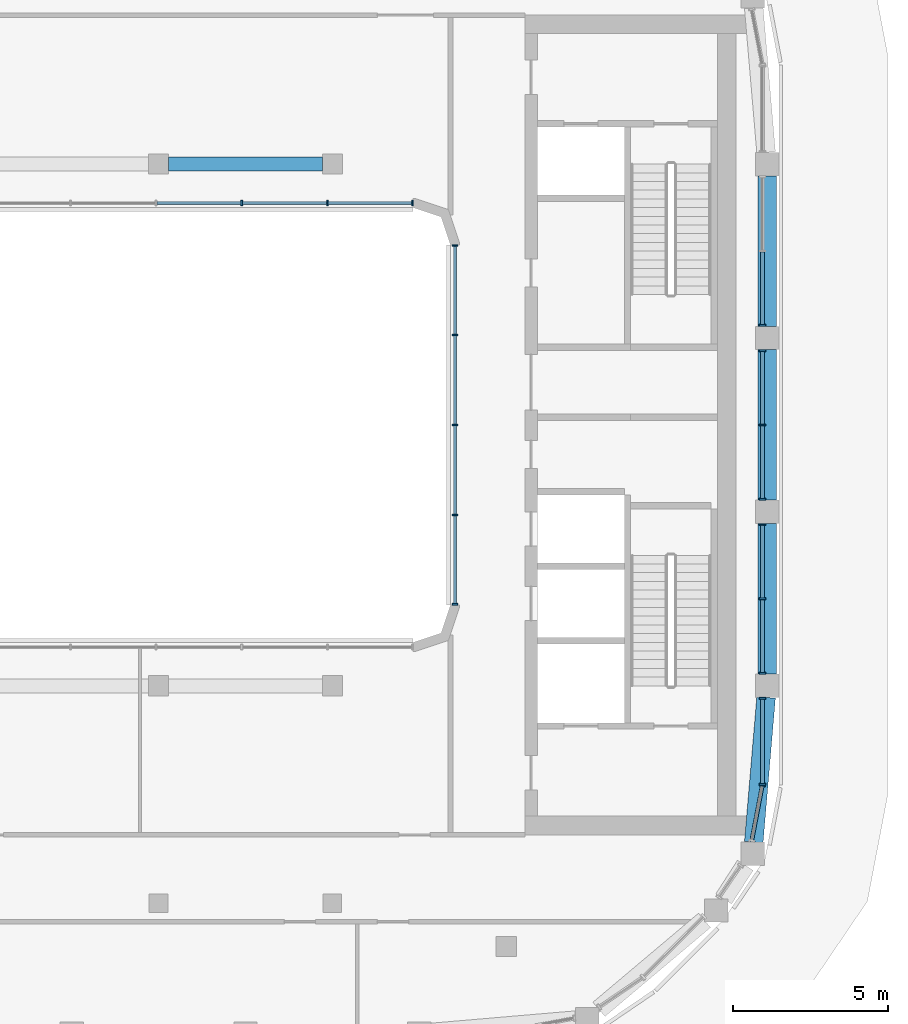
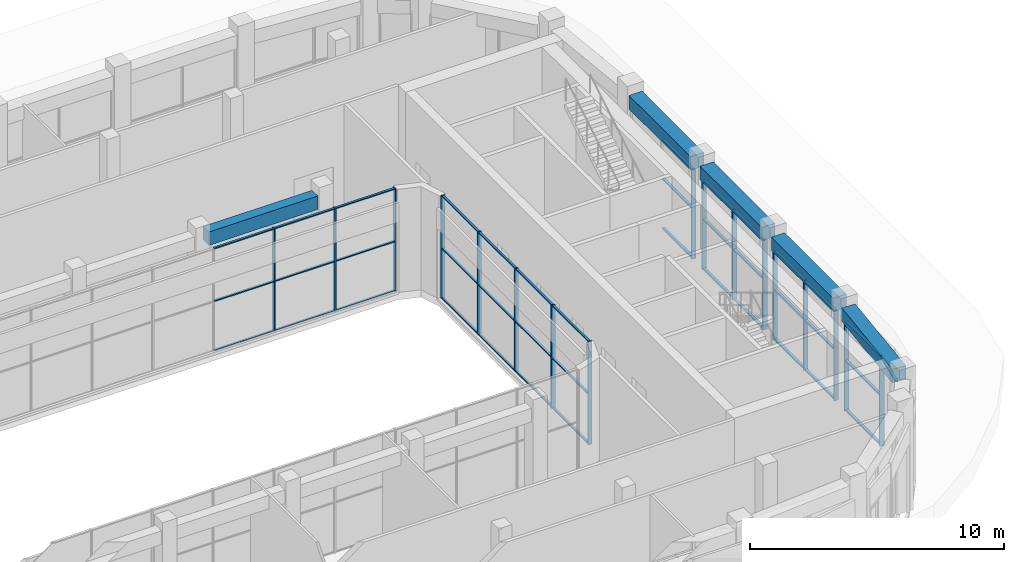
# One storey, part 7 of 24: 58 members, 5 beams, 7 elements without a shape of their own.
"""IFC4 building model written with IfcOpenShell, lengths in metres."""

from ifc_helpers import new_model, si_unit, direction, frame, origin, origin_2d, place, context, subcontext, project, spatial, rectangle, extrude, material, layer, layer_set, material_profile, profile_set, type_object, element, aggregate, save


model = new_model("IFC4")

# Units and contexts
model_context = context("Model", 3, precision=1e-05, world=origin(), true_north=direction((0.0, 1.0)))
body_context = subcontext(model_context, "Body", "Model", "MODEL_VIEW")
ifc_project = project(units=[si_unit("LENGTHUNIT", "METRE"), si_unit("AREAUNIT", "SQUARE_METRE"), si_unit("VOLUMEUNIT", "CUBIC_METRE"), si_unit("PLANEANGLEUNIT", "RADIAN"), si_unit("MASSUNIT", "GRAM", prefix="KILO")], contexts=[model_context])

# Site, building, storey
site_placement = place(None, origin())
site = spatial("IfcSite", under=ifc_project, at=site_placement, CompositionType="ELEMENT")
building_placement = place(site_placement, origin())
building = spatial("IfcBuilding", under=site, at=building_placement, Name="Kiln Ring Residences", CompositionType="ELEMENT")
storey_placement = place(building_placement, frame((0.0, 0.0, 283.699951171875)))
storey = spatial("IfcBuildingStorey", under=building, at=storey_placement, Name="L74", CompositionType="ELEMENT", Elevation=283.699951171875)

# Curtain wall, member
ifc_material_1 = material(Name="Aluminium and glass", Category="aluminium")
ifc_layer_1 = layer(ifc_material_1, 0.199951171875)
ifc_layer_set_1 = layer_set([ifc_layer_1], Name="CW1 CURTAIN WALL")
curtain_wall_type_1 = type_object("IfcCurtainWallType", Name="CW1 CURTAIN WALL", PredefinedType="NOTDEFINED", material=ifc_layer_set_1)
placement = place(storey_placement, origin())
curtain_wall_1 = element("IfcCurtainWall", 1, at=placement, inside=storey, type_object=curtain_wall_type_1, Name="Curtain wall CW1 L74", PredefinedType="NOTDEFINED")
ifc_material_2 = material(Name="Aluminium 6063-T6", Category="aluminium")
ifc_material_profile_1 = material_profile(ifc_material_2, rectangle(XDim=0.199951171875, YDim=0.06005859375, at=origin_2d()), Name="AL 200x60")
ifc_profile_set_1 = profile_set([ifc_material_profile_1], Name="Aluminium 6063-T6")
member_type_1 = type_object("IfcMemberType", Name="CW1 MULLION 200 x 60", PredefinedType="MULLION", material=ifc_profile_set_1)
member_1_placement = place(storey_placement, frame((25.047119140625, -11.601318359375, 0.0), z_axis=(0.0, 0.0, 1.0), x_axis=(-0.982290257784, 0.187365550364, 0.0)))
member_1 = element("IfcMember", 2, at=member_1_placement, type_object=member_type_1, Name="CW1 mullion 2", PredefinedType="MULLION", context=body_context, shape_type="SweptSolid", body=[
    extrude(rectangle(XDim=0.199951171875, YDim=0.06005859375, at=origin_2d()), origin(), (0.0, 0.0, 1.0), 4.300048828125),
])

# Curtain wall, members
curtain_wall_2 = element("IfcCurtainWall", 3, at=placement, inside=storey, type_object=curtain_wall_type_1, Name="Curtain wall CW1 L74", PredefinedType="NOTDEFINED")
member_2_placement = place(storey_placement, frame((25.050048828125, -11.570068359375, 0.0), z_axis=(0.0, 0.0, 1.0), x_axis=(-1.0, 0.0, 0.0)))
member_2 = element("IfcMember", 4, at=member_2_placement, type_object=member_type_1, Name="CW1 mullion 1", PredefinedType="MULLION", context=body_context, shape_type="SweptSolid", body=[
    extrude(rectangle(XDim=0.199951171875, YDim=0.06005859375, at=origin_2d()), origin(), (0.0, 0.0, 1.0), 4.300048828125),
])
member_3_placement = place(storey_placement, frame((25.050048828125, -8.804931640625, 0.0), z_axis=(0.0, 0.0, 1.0), x_axis=(-1.0, 0.0, 0.0)))
member_3 = element("IfcMember", 5, at=member_3_placement, type_object=member_type_1, Name="CW1 mullion 2", PredefinedType="MULLION", context=body_context, shape_type="SweptSolid", body=[
    extrude(rectangle(XDim=0.199951171875, YDim=0.06005859375, at=origin_2d()), origin(), (0.0, 0.0, 1.0), 4.300048828125),
])

curtain_wall_3 = element("IfcCurtainWall", 6, at=placement, inside=storey, type_object=curtain_wall_type_1, Name="Curtain wall CW1 L74", PredefinedType="NOTDEFINED")
member_4_placement = place(storey_placement, frame((25.050048828125, -7.9951171875, 0.0), z_axis=(0.0, 0.0, 1.0), x_axis=(-1.0, 0.0, 0.0)))
member_4 = element("IfcMember", 7, at=member_4_placement, type_object=member_type_1, Name="CW1 mullion 1", PredefinedType="MULLION", context=body_context, shape_type="SweptSolid", body=[
    extrude(rectangle(XDim=0.199951171875, YDim=0.06005859375, at=origin_2d()), origin(), (0.0, 0.0, 1.0), 4.300048828125),
])
member_5_placement = place(storey_placement, frame((25.050048828125, -5.60009765625, 0.0), z_axis=(0.0, 0.0, 1.0), x_axis=(-1.0, 0.0, 0.0)))
member_5 = element("IfcMember", 8, at=member_5_placement, type_object=member_type_1, Name="CW1 mullion 2", PredefinedType="MULLION", context=body_context, shape_type="SweptSolid", body=[
    extrude(rectangle(XDim=0.199951171875, YDim=0.06005859375, at=origin_2d()), origin(), (0.0, 0.0, 1.0), 4.300048828125),
])
member_6_placement = place(storey_placement, frame((25.050048828125, -3.205078125, 0.0), z_axis=(0.0, 0.0, 1.0), x_axis=(-1.0, 0.0, 0.0)))
member_6 = element("IfcMember", 9, at=member_6_placement, type_object=member_type_1, Name="CW1 mullion 3", PredefinedType="MULLION", context=body_context, shape_type="SweptSolid", body=[
    extrude(rectangle(XDim=0.199951171875, YDim=0.06005859375, at=origin_2d()), origin(), (0.0, 0.0, 1.0), 4.300048828125),
])

curtain_wall_4 = element("IfcCurtainWall", 10, at=placement, inside=storey, type_object=curtain_wall_type_1, Name="Curtain wall CW1 L74", PredefinedType="NOTDEFINED")
member_7_placement = place(storey_placement, frame((25.050048828125, -2.39501953125, 0.0), z_axis=(0.0, 0.0, 1.0), x_axis=(-1.0, 0.0, 0.0)))
member_7 = element("IfcMember", 11, at=member_7_placement, type_object=member_type_1, Name="CW1 mullion 1", PredefinedType="MULLION", context=body_context, shape_type="SweptSolid", body=[
    extrude(rectangle(XDim=0.199951171875, YDim=0.06005859375, at=origin_2d()), origin(), (0.0, 0.0, 1.0), 4.300048828125),
])
member_8_placement = place(storey_placement, frame((25.050048828125, 0.0, 0.0), z_axis=(0.0, 0.0, 1.0), x_axis=(-1.0, 0.0, 0.0)))
member_8 = element("IfcMember", 12, at=member_8_placement, type_object=member_type_1, Name="CW1 mullion 2", PredefinedType="MULLION", context=body_context, shape_type="SweptSolid", body=[
    extrude(rectangle(XDim=0.199951171875, YDim=0.06005859375, at=origin_2d()), origin(), (0.0, 0.0, 1.0), 4.300048828125),
])
member_9_placement = place(storey_placement, frame((25.050048828125, 2.39501953125, 0.0), z_axis=(0.0, 0.0, 1.0), x_axis=(-1.0, 0.0, 0.0)))
member_9 = element("IfcMember", 13, at=member_9_placement, type_object=member_type_1, Name="CW1 mullion 3", PredefinedType="MULLION", context=body_context, shape_type="SweptSolid", body=[
    extrude(rectangle(XDim=0.199951171875, YDim=0.06005859375, at=origin_2d()), origin(), (0.0, 0.0, 1.0), 4.300048828125),
])

# Curtain wall, member
curtain_wall_5 = element("IfcCurtainWall", 14, at=placement, inside=storey, type_object=curtain_wall_type_1, Name="Curtain wall CW1 L74", PredefinedType="NOTDEFINED")
member_10_placement = place(storey_placement, frame((25.050048828125, 3.205078125, 0.0), z_axis=(0.0, 0.0, 1.0), x_axis=(-1.0, 0.0, 0.0)))
member_10 = element("IfcMember", 15, at=member_10_placement, type_object=member_type_1, Name="CW1 mullion 1", PredefinedType="MULLION", context=body_context, shape_type="SweptSolid", body=[
    extrude(rectangle(XDim=0.199951171875, YDim=0.06005859375, at=origin_2d()), origin(), (0.0, 0.0, 1.0), 4.300048828125),
])

# Member
ifc_material_3 = material(Name="Aluminium 6063-T6", Category="aluminium")
ifc_material_profile_2 = material_profile(ifc_material_3, rectangle(XDim=0.1201171875, YDim=0.06005859375, at=origin_2d()), Name="AL 120x60")
ifc_profile_set_2 = profile_set([ifc_material_profile_2], Name="Aluminium 6063-T6")
member_type_2 = type_object("IfcMemberType", Name="CW1 TRANSOM 120 x 60", PredefinedType="USERDEFINED", material=ifc_profile_set_2)
member_11_placement = place(storey_placement, frame((24.71142578125, -13.36083984375, 4.27001953125), z_axis=(0.187417857375, 0.982280279114, 0.0), x_axis=(-0.982280279114, 0.187417857375, 0.0)))
member_11 = element("IfcMember", 16, at=member_11_placement, type_object=member_type_2, Name="CW1 transom 1.3", ObjectType="TRANSOM", PredefinedType="USERDEFINED", context=body_context, shape_type="SweptSolid", body=[
    extrude(rectangle(XDim=0.1201171875, YDim=0.06005859375, at=origin_2d()), origin(), (0.0, 0.0, 1.0), 1.76123046875),
])

aggregate(curtain_wall_1, [member_1, member_11])

member_12_placement = place(storey_placement, frame((25.050048828125, -11.5400390625, 0.030029296875), z_axis=(0.0, 1.0, 0.0), x_axis=(-1.0, 0.0, 0.0)))
member_12 = element("IfcMember", 17, at=member_12_placement, type_object=member_type_2, Name="CW1 transom 1.1", ObjectType="TRANSOM", PredefinedType="USERDEFINED", context=body_context, shape_type="SweptSolid", body=[
    extrude(rectangle(XDim=0.1201171875, YDim=0.06005859375, at=origin_2d()), origin(), (0.0, 0.0, 1.0), 2.705078125),
])

member_13_placement = place(storey_placement, frame((25.050048828125, -11.5400390625, 2.400146484375), z_axis=(0.0, 1.0, 0.0), x_axis=(-1.0, 0.0, 0.0)))
member_13 = element("IfcMember", 18, at=member_13_placement, type_object=member_type_2, Name="CW1 transom 1.2", ObjectType="TRANSOM", PredefinedType="USERDEFINED", context=body_context, shape_type="SweptSolid", body=[
    extrude(rectangle(XDim=0.1201171875, YDim=0.06005859375, at=origin_2d()), origin(), (0.0, 0.0, 1.0), 2.705078125),
])

member_14_placement = place(storey_placement, frame((25.050048828125, -11.5400390625, 4.27001953125), z_axis=(0.0, 1.0, 0.0), x_axis=(-1.0, 0.0, 0.0)))
member_14 = element("IfcMember", 19, at=member_14_placement, type_object=member_type_2, Name="CW1 transom 1.3", ObjectType="TRANSOM", PredefinedType="USERDEFINED", context=body_context, shape_type="SweptSolid", body=[
    extrude(rectangle(XDim=0.1201171875, YDim=0.06005859375, at=origin_2d()), origin(), (0.0, 0.0, 1.0), 2.705078125),
])

aggregate(curtain_wall_2, [member_2, member_3, member_12, member_13, member_14])

member_15_placement = place(storey_placement, frame((25.050048828125, -7.965087890625, 0.030029296875), z_axis=(0.0, 1.0, 0.0), x_axis=(-1.0, 0.0, 0.0)))
member_15 = element("IfcMember", 20, at=member_15_placement, type_object=member_type_2, Name="CW1 transom 1.1", ObjectType="TRANSOM", PredefinedType="USERDEFINED", context=body_context, shape_type="SweptSolid", body=[
    extrude(rectangle(XDim=0.1201171875, YDim=0.06005859375, at=origin_2d()), origin(), (0.0, 0.0, 1.0), 2.335205078125),
])

member_16_placement = place(storey_placement, frame((25.050048828125, -7.965087890625, 2.400146484375), z_axis=(0.0, 1.0, 0.0), x_axis=(-1.0, 0.0, 0.0)))
member_16 = element("IfcMember", 21, at=member_16_placement, type_object=member_type_2, Name="CW1 transom 1.2", ObjectType="TRANSOM", PredefinedType="USERDEFINED", context=body_context, shape_type="SweptSolid", body=[
    extrude(rectangle(XDim=0.1201171875, YDim=0.06005859375, at=origin_2d()), origin(), (0.0, 0.0, 1.0), 2.335205078125),
])

member_17_placement = place(storey_placement, frame((25.050048828125, -7.965087890625, 4.27001953125), z_axis=(0.0, 1.0, 0.0), x_axis=(-1.0, 0.0, 0.0)))
member_17 = element("IfcMember", 22, at=member_17_placement, type_object=member_type_2, Name="CW1 transom 1.3", ObjectType="TRANSOM", PredefinedType="USERDEFINED", context=body_context, shape_type="SweptSolid", body=[
    extrude(rectangle(XDim=0.1201171875, YDim=0.06005859375, at=origin_2d()), origin(), (0.0, 0.0, 1.0), 2.335205078125),
])

member_18_placement = place(storey_placement, frame((25.050048828125, -5.570068359375, 0.030029296875), z_axis=(0.0, 1.0, 0.0), x_axis=(-1.0, 0.0, 0.0)))
member_18 = element("IfcMember", 23, at=member_18_placement, type_object=member_type_2, Name="CW1 transom 2.1", ObjectType="TRANSOM", PredefinedType="USERDEFINED", context=body_context, shape_type="SweptSolid", body=[
    extrude(rectangle(XDim=0.1201171875, YDim=0.06005859375, at=origin_2d()), origin(), (0.0, 0.0, 1.0), 2.3349609375),
])

member_19_placement = place(storey_placement, frame((25.050048828125, -5.570068359375, 2.400146484375), z_axis=(0.0, 1.0, 0.0), x_axis=(-1.0, 0.0, 0.0)))
member_19 = element("IfcMember", 24, at=member_19_placement, type_object=member_type_2, Name="CW1 transom 2.2", ObjectType="TRANSOM", PredefinedType="USERDEFINED", context=body_context, shape_type="SweptSolid", body=[
    extrude(rectangle(XDim=0.1201171875, YDim=0.06005859375, at=origin_2d()), origin(), (0.0, 0.0, 1.0), 2.3349609375),
])

member_20_placement = place(storey_placement, frame((25.050048828125, -5.570068359375, 4.27001953125), z_axis=(0.0, 1.0, 0.0), x_axis=(-1.0, 0.0, 0.0)))
member_20 = element("IfcMember", 25, at=member_20_placement, type_object=member_type_2, Name="CW1 transom 2.3", ObjectType="TRANSOM", PredefinedType="USERDEFINED", context=body_context, shape_type="SweptSolid", body=[
    extrude(rectangle(XDim=0.1201171875, YDim=0.06005859375, at=origin_2d()), origin(), (0.0, 0.0, 1.0), 2.3349609375),
])

aggregate(curtain_wall_3, [member_4, member_5, member_6, member_15, member_16, member_17, member_18, member_19, member_20])

member_21_placement = place(storey_placement, frame((25.050048828125, -2.364990234375, 0.030029296875), z_axis=(0.0, 1.0, 0.0), x_axis=(-1.0, 0.0, 0.0)))
member_21 = element("IfcMember", 26, at=member_21_placement, type_object=member_type_2, Name="CW1 transom 1.1", ObjectType="TRANSOM", PredefinedType="USERDEFINED", context=body_context, shape_type="SweptSolid", body=[
    extrude(rectangle(XDim=0.1201171875, YDim=0.06005859375, at=origin_2d()), origin(), (0.0, 0.0, 1.0), 2.3349609375),
])

member_22_placement = place(storey_placement, frame((25.050048828125, -2.364990234375, 2.400146484375), z_axis=(0.0, 1.0, 0.0), x_axis=(-1.0, 0.0, 0.0)))
member_22 = element("IfcMember", 27, at=member_22_placement, type_object=member_type_2, Name="CW1 transom 1.2", ObjectType="TRANSOM", PredefinedType="USERDEFINED", context=body_context, shape_type="SweptSolid", body=[
    extrude(rectangle(XDim=0.1201171875, YDim=0.06005859375, at=origin_2d()), origin(), (0.0, 0.0, 1.0), 2.3349609375),
])

member_23_placement = place(storey_placement, frame((25.050048828125, -2.364990234375, 4.27001953125), z_axis=(0.0, 1.0, 0.0), x_axis=(-1.0, 0.0, 0.0)))
member_23 = element("IfcMember", 28, at=member_23_placement, type_object=member_type_2, Name="CW1 transom 1.3", ObjectType="TRANSOM", PredefinedType="USERDEFINED", context=body_context, shape_type="SweptSolid", body=[
    extrude(rectangle(XDim=0.1201171875, YDim=0.06005859375, at=origin_2d()), origin(), (0.0, 0.0, 1.0), 2.3349609375),
])

member_24_placement = place(storey_placement, frame((25.050048828125, 0.030029296875, 0.030029296875), z_axis=(0.0, 1.0, 0.0), x_axis=(-1.0, 0.0, 0.0)))
member_24 = element("IfcMember", 29, at=member_24_placement, type_object=member_type_2, Name="CW1 transom 2.1", ObjectType="TRANSOM", PredefinedType="USERDEFINED", context=body_context, shape_type="SweptSolid", body=[
    extrude(rectangle(XDim=0.1201171875, YDim=0.06005859375, at=origin_2d()), origin(), (0.0, 0.0, 1.0), 2.3349609375),
])

member_25_placement = place(storey_placement, frame((25.050048828125, 0.030029296875, 2.400146484375), z_axis=(0.0, 1.0, 0.0), x_axis=(-1.0, 0.0, 0.0)))
member_25 = element("IfcMember", 30, at=member_25_placement, type_object=member_type_2, Name="CW1 transom 2.2", ObjectType="TRANSOM", PredefinedType="USERDEFINED", context=body_context, shape_type="SweptSolid", body=[
    extrude(rectangle(XDim=0.1201171875, YDim=0.06005859375, at=origin_2d()), origin(), (0.0, 0.0, 1.0), 2.3349609375),
])

member_26_placement = place(storey_placement, frame((25.050048828125, 0.030029296875, 4.27001953125), z_axis=(0.0, 1.0, 0.0), x_axis=(-1.0, 0.0, 0.0)))
member_26 = element("IfcMember", 31, at=member_26_placement, type_object=member_type_2, Name="CW1 transom 2.3", ObjectType="TRANSOM", PredefinedType="USERDEFINED", context=body_context, shape_type="SweptSolid", body=[
    extrude(rectangle(XDim=0.1201171875, YDim=0.06005859375, at=origin_2d()), origin(), (0.0, 0.0, 1.0), 2.3349609375),
])

aggregate(curtain_wall_4, [member_7, member_8, member_9, member_21, member_22, member_23, member_24, member_25, member_26])

member_27_placement = place(storey_placement, frame((25.050048828125, 3.235107421875, 0.030029296875), z_axis=(0.0, 1.0, 0.0), x_axis=(-1.0, 0.0, 0.0)))
member_27 = element("IfcMember", 32, at=member_27_placement, type_object=member_type_2, Name="CW1 transom 1.1", ObjectType="TRANSOM", PredefinedType="USERDEFINED", context=body_context, shape_type="SweptSolid", body=[
    extrude(rectangle(XDim=0.1201171875, YDim=0.06005859375, at=origin_2d()), origin(), (0.0, 0.0, 1.0), 2.3349609375),
])

member_28_placement = place(storey_placement, frame((25.050048828125, 3.235107421875, 2.400146484375), z_axis=(0.0, 1.0, 0.0), x_axis=(-1.0, 0.0, 0.0)))
member_28 = element("IfcMember", 33, at=member_28_placement, type_object=member_type_2, Name="CW1 transom 1.2", ObjectType="TRANSOM", PredefinedType="USERDEFINED", context=body_context, shape_type="SweptSolid", body=[
    extrude(rectangle(XDim=0.1201171875, YDim=0.06005859375, at=origin_2d()), origin(), (0.0, 0.0, 1.0), 2.3349609375),
])

member_29_placement = place(storey_placement, frame((25.050048828125, 3.235107421875, 4.27001953125), z_axis=(0.0, 1.0, 0.0), x_axis=(-1.0, 0.0, 0.0)))
member_29 = element("IfcMember", 34, at=member_29_placement, type_object=member_type_2, Name="CW1 transom 1.3", ObjectType="TRANSOM", PredefinedType="USERDEFINED", context=body_context, shape_type="SweptSolid", body=[
    extrude(rectangle(XDim=0.1201171875, YDim=0.06005859375, at=origin_2d()), origin(), (0.0, 0.0, 1.0), 2.3349609375),
])

aggregate(curtain_wall_5, [member_10, member_27, member_28, member_29])

# Curtain wall, members
ifc_material_4 = material(Name="Aluminium and glass", Category="aluminium")
ifc_layer_2 = layer(ifc_material_4, 0.179931640625)
ifc_layer_set_2 = layer_set([ifc_layer_2], Name="CW3 CURTAIN WALL")
curtain_wall_type_2 = type_object("IfcCurtainWallType", Name="CW3 CURTAIN WALL", PredefinedType="NOTDEFINED", material=ifc_layer_set_2)
curtain_wall_6 = element("IfcCurtainWall", 35, at=placement, inside=storey, type_object=curtain_wall_type_2, Name="Curtain wall CW3 L74", PredefinedType="NOTDEFINED")
ifc_material_5 = material(Name="Aluminium 6063-T6", Category="aluminium")
ifc_material_profile_3 = material_profile(ifc_material_5, rectangle(XDim=0.179931640625, YDim=0.050048828125, at=origin_2d()), Name="AL 180x50")
ifc_profile_set_3 = profile_set([ifc_material_profile_3], Name="Aluminium 6063-T6")
member_type_3 = type_object("IfcMemberType", Name="CW3 MULLION 180 x 50", PredefinedType="MULLION", material=ifc_profile_set_3)
member_30_placement = place(storey_placement, frame((8.280029296875, 7.14990234375, 0.0), z_axis=(0.0, 0.0, 1.0), x_axis=(0.0, 1.0, 0.0)))
member_30 = element("IfcMember", 36, at=member_30_placement, type_object=member_type_3, Name="CW3 mullion 9", PredefinedType="MULLION", context=body_context, shape_type="SweptSolid", body=[
    extrude(rectangle(XDim=0.179931640625, YDim=0.050048828125, at=origin_2d()), origin(), (0.0, 0.0, 1.0), 4.949951171875),
])
member_31_placement = place(storey_placement, frame((11.0400390625, 7.14990234375, 0.0), z_axis=(0.0, 0.0, 1.0), x_axis=(0.0, 1.0, 0.0)))
member_31 = element("IfcMember", 37, at=member_31_placement, type_object=member_type_3, Name="CW3 mullion 10", PredefinedType="MULLION", context=body_context, shape_type="SweptSolid", body=[
    extrude(rectangle(XDim=0.179931640625, YDim=0.050048828125, at=origin_2d()), origin(), (0.0, 0.0, 1.0), 4.949951171875),
])
member_32_placement = place(storey_placement, frame((13.77490234375, 7.14990234375, 0.0), z_axis=(0.0, 0.0, 1.0), x_axis=(0.0, 1.0, 0.0)))
member_32 = element("IfcMember", 38, at=member_32_placement, type_object=member_type_3, Name="CW3 mullion 11", PredefinedType="MULLION", context=body_context, shape_type="SweptSolid", body=[
    extrude(rectangle(XDim=0.179931640625, YDim=0.050048828125, at=origin_2d()), origin(), (0.0, 0.0, 1.0), 4.949951171875),
])

curtain_wall_7 = element("IfcCurtainWall", 39, at=placement, inside=storey, type_object=curtain_wall_type_2, Name="Curtain wall CW3 L74", PredefinedType="NOTDEFINED")
member_33_placement = place(storey_placement, frame((15.14990234375, 5.77490234375, 0.0), z_axis=(0.0, 0.0, 1.0), x_axis=(1.0, 0.0, 0.0)))
member_33 = element("IfcMember", 40, at=member_33_placement, type_object=member_type_3, Name="CW3 mullion 1", PredefinedType="MULLION", context=body_context, shape_type="SweptSolid", body=[
    extrude(rectangle(XDim=0.179931640625, YDim=0.050048828125, at=origin_2d()), origin(), (0.0, 0.0, 1.0), 4.949951171875),
])
member_34_placement = place(storey_placement, frame((15.14990234375, 2.89990234375, 0.0), z_axis=(0.0, 0.0, 1.0), x_axis=(1.0, 0.0, 0.0)))
member_34 = element("IfcMember", 41, at=member_34_placement, type_object=member_type_3, Name="CW3 mullion 2", PredefinedType="MULLION", context=body_context, shape_type="SweptSolid", body=[
    extrude(rectangle(XDim=0.179931640625, YDim=0.050048828125, at=origin_2d()), origin(), (0.0, 0.0, 1.0), 4.949951171875),
])
member_35_placement = place(storey_placement, frame((15.14990234375, 0.0, 0.0), z_axis=(0.0, 0.0, 1.0), x_axis=(1.0, 0.0, 0.0)))
member_35 = element("IfcMember", 42, at=member_35_placement, type_object=member_type_3, Name="CW3 mullion 3", PredefinedType="MULLION", context=body_context, shape_type="SweptSolid", body=[
    extrude(rectangle(XDim=0.179931640625, YDim=0.050048828125, at=origin_2d()), origin(), (0.0, 0.0, 1.0), 4.949951171875),
])
member_36_placement = place(storey_placement, frame((15.14990234375, -2.89990234375, 0.0), z_axis=(0.0, 0.0, 1.0), x_axis=(1.0, 0.0, 0.0)))
member_36 = element("IfcMember", 43, at=member_36_placement, type_object=member_type_3, Name="CW3 mullion 4", PredefinedType="MULLION", context=body_context, shape_type="SweptSolid", body=[
    extrude(rectangle(XDim=0.179931640625, YDim=0.050048828125, at=origin_2d()), origin(), (0.0, 0.0, 1.0), 4.949951171875),
])
member_37_placement = place(storey_placement, frame((15.14990234375, -5.77490234375, 0.0), z_axis=(0.0, 0.0, 1.0), x_axis=(1.0, 0.0, 0.0)))
member_37 = element("IfcMember", 44, at=member_37_placement, type_object=member_type_3, Name="CW3 mullion 5", PredefinedType="MULLION", context=body_context, shape_type="SweptSolid", body=[
    extrude(rectangle(XDim=0.179931640625, YDim=0.050048828125, at=origin_2d()), origin(), (0.0, 0.0, 1.0), 4.949951171875),
])

# Member
ifc_material_6 = material(Name="Aluminium 6063-T6", Category="aluminium")
ifc_material_profile_4 = material_profile(ifc_material_6, rectangle(XDim=0.10009765625, YDim=0.050048828125, at=origin_2d()), Name="AL 100x50")
ifc_profile_set_4 = profile_set([ifc_material_profile_4], Name="Aluminium 6063-T6")
member_type_4 = type_object("IfcMemberType", Name="CW3 TRANSOM 100 x 50", PredefinedType="USERDEFINED", material=ifc_profile_set_4)
member_38_placement = place(storey_placement, frame((5.544921875, 7.14990234375, 0.025146484375), z_axis=(1.0, 0.0, 0.0), x_axis=(0.0, 1.0, 0.0)))
member_38 = element("IfcMember", 45, at=member_38_placement, type_object=member_type_4, Name="CW3 transom 8.1", ObjectType="TRANSOM", PredefinedType="USERDEFINED", context=body_context, shape_type="SweptSolid", body=[
    extrude(rectangle(XDim=0.10009765625, YDim=0.050048828125, at=origin_2d()), origin(), (0.0, 0.0, 1.0), 2.7099609375),
])

member_39_placement = place(storey_placement, frame((5.544921875, 7.14990234375, 2.400146484375), z_axis=(1.0, 0.0, 0.0), x_axis=(0.0, 1.0, 0.0)))
member_39 = element("IfcMember", 46, at=member_39_placement, type_object=member_type_4, Name="CW3 transom 8.2", ObjectType="TRANSOM", PredefinedType="USERDEFINED", context=body_context, shape_type="SweptSolid", body=[
    extrude(rectangle(XDim=0.10009765625, YDim=0.050048828125, at=origin_2d()), origin(), (0.0, 0.0, 1.0), 2.7099609375),
])

member_40_placement = place(storey_placement, frame((5.544921875, 7.14990234375, 4.925048828125), z_axis=(1.0, 0.0, 0.0), x_axis=(0.0, 1.0, 0.0)))
member_40 = element("IfcMember", 47, at=member_40_placement, type_object=member_type_4, Name="CW3 transom 8.3", ObjectType="TRANSOM", PredefinedType="USERDEFINED", context=body_context, shape_type="SweptSolid", body=[
    extrude(rectangle(XDim=0.10009765625, YDim=0.050048828125, at=origin_2d()), origin(), (0.0, 0.0, 1.0), 2.7099609375),
])

member_41_placement = place(storey_placement, frame((8.304931640625, 7.14990234375, 0.025146484375), z_axis=(1.0, 0.0, 0.0), x_axis=(0.0, 1.0, 0.0)))
member_41 = element("IfcMember", 48, at=member_41_placement, type_object=member_type_4, Name="CW3 transom 9.1", ObjectType="TRANSOM", PredefinedType="USERDEFINED", context=body_context, shape_type="SweptSolid", body=[
    extrude(rectangle(XDim=0.10009765625, YDim=0.050048828125, at=origin_2d()), origin(), (0.0, 0.0, 1.0), 2.7099609375),
])

member_42_placement = place(storey_placement, frame((8.304931640625, 7.14990234375, 2.400146484375), z_axis=(1.0, 0.0, 0.0), x_axis=(0.0, 1.0, 0.0)))
member_42 = element("IfcMember", 49, at=member_42_placement, type_object=member_type_4, Name="CW3 transom 9.2", ObjectType="TRANSOM", PredefinedType="USERDEFINED", context=body_context, shape_type="SweptSolid", body=[
    extrude(rectangle(XDim=0.10009765625, YDim=0.050048828125, at=origin_2d()), origin(), (0.0, 0.0, 1.0), 2.7099609375),
])

member_43_placement = place(storey_placement, frame((8.304931640625, 7.14990234375, 4.925048828125), z_axis=(1.0, 0.0, 0.0), x_axis=(0.0, 1.0, 0.0)))
member_43 = element("IfcMember", 50, at=member_43_placement, type_object=member_type_4, Name="CW3 transom 9.3", ObjectType="TRANSOM", PredefinedType="USERDEFINED", context=body_context, shape_type="SweptSolid", body=[
    extrude(rectangle(XDim=0.10009765625, YDim=0.050048828125, at=origin_2d()), origin(), (0.0, 0.0, 1.0), 2.7099609375),
])

member_44_placement = place(storey_placement, frame((11.06494140625, 7.14990234375, 0.025146484375), z_axis=(1.0, 0.0, 0.0), x_axis=(0.0, 1.0, 0.0)))
member_44 = element("IfcMember", 51, at=member_44_placement, type_object=member_type_4, Name="CW3 transom 10.1", ObjectType="TRANSOM", PredefinedType="USERDEFINED", context=body_context, shape_type="SweptSolid", body=[
    extrude(rectangle(XDim=0.10009765625, YDim=0.050048828125, at=origin_2d()), origin(), (0.0, 0.0, 1.0), 2.68505859375),
])

member_45_placement = place(storey_placement, frame((11.06494140625, 7.14990234375, 2.400146484375), z_axis=(1.0, 0.0, 0.0), x_axis=(0.0, 1.0, 0.0)))
member_45 = element("IfcMember", 52, at=member_45_placement, type_object=member_type_4, Name="CW3 transom 10.2", ObjectType="TRANSOM", PredefinedType="USERDEFINED", context=body_context, shape_type="SweptSolid", body=[
    extrude(rectangle(XDim=0.10009765625, YDim=0.050048828125, at=origin_2d()), origin(), (0.0, 0.0, 1.0), 2.68505859375),
])

member_46_placement = place(storey_placement, frame((11.06494140625, 7.14990234375, 4.925048828125), z_axis=(1.0, 0.0, 0.0), x_axis=(0.0, 1.0, 0.0)))
member_46 = element("IfcMember", 53, at=member_46_placement, type_object=member_type_4, Name="CW3 transom 10.3", ObjectType="TRANSOM", PredefinedType="USERDEFINED", context=body_context, shape_type="SweptSolid", body=[
    extrude(rectangle(XDim=0.10009765625, YDim=0.050048828125, at=origin_2d()), origin(), (0.0, 0.0, 1.0), 2.68505859375),
])

aggregate(curtain_wall_6, [member_30, member_31, member_32, member_38, member_39, member_40, member_41, member_42, member_43, member_44, member_45, member_46])

member_47_placement = place(storey_placement, frame((15.14990234375, 5.75, 0.025146484375), z_axis=(0.0, -1.0, 0.0), x_axis=(1.0, 0.0, 0.0)))
member_47 = element("IfcMember", 54, at=member_47_placement, type_object=member_type_4, Name="CW3 transom 1.1", ObjectType="TRANSOM", PredefinedType="USERDEFINED", context=body_context, shape_type="SweptSolid", body=[
    extrude(rectangle(XDim=0.10009765625, YDim=0.050048828125, at=origin_2d()), origin(), (0.0, 0.0, 1.0), 2.824951171875),
])

member_48_placement = place(storey_placement, frame((15.14990234375, 5.75, 2.400146484375), z_axis=(0.0, -1.0, 0.0), x_axis=(1.0, 0.0, 0.0)))
member_48 = element("IfcMember", 55, at=member_48_placement, type_object=member_type_4, Name="CW3 transom 1.2", ObjectType="TRANSOM", PredefinedType="USERDEFINED", context=body_context, shape_type="SweptSolid", body=[
    extrude(rectangle(XDim=0.10009765625, YDim=0.050048828125, at=origin_2d()), origin(), (0.0, 0.0, 1.0), 2.824951171875),
])

member_49_placement = place(storey_placement, frame((15.14990234375, 5.75, 4.925048828125), z_axis=(0.0, -1.0, 0.0), x_axis=(1.0, 0.0, 0.0)))
member_49 = element("IfcMember", 56, at=member_49_placement, type_object=member_type_4, Name="CW3 transom 1.3", ObjectType="TRANSOM", PredefinedType="USERDEFINED", context=body_context, shape_type="SweptSolid", body=[
    extrude(rectangle(XDim=0.10009765625, YDim=0.050048828125, at=origin_2d()), origin(), (0.0, 0.0, 1.0), 2.824951171875),
])

member_50_placement = place(storey_placement, frame((15.14990234375, 2.875, 0.025146484375), z_axis=(0.0, -1.0, 0.0), x_axis=(1.0, 0.0, 0.0)))
member_50 = element("IfcMember", 57, at=member_50_placement, type_object=member_type_4, Name="CW3 transom 2.1", ObjectType="TRANSOM", PredefinedType="USERDEFINED", context=body_context, shape_type="SweptSolid", body=[
    extrude(rectangle(XDim=0.10009765625, YDim=0.050048828125, at=origin_2d()), origin(), (0.0, 0.0, 1.0), 2.85009765625),
])

member_51_placement = place(storey_placement, frame((15.14990234375, 2.875, 2.400146484375), z_axis=(0.0, -1.0, 0.0), x_axis=(1.0, 0.0, 0.0)))
member_51 = element("IfcMember", 58, at=member_51_placement, type_object=member_type_4, Name="CW3 transom 2.2", ObjectType="TRANSOM", PredefinedType="USERDEFINED", context=body_context, shape_type="SweptSolid", body=[
    extrude(rectangle(XDim=0.10009765625, YDim=0.050048828125, at=origin_2d()), origin(), (0.0, 0.0, 1.0), 2.85009765625),
])

member_52_placement = place(storey_placement, frame((15.14990234375, 2.875, 4.925048828125), z_axis=(0.0, -1.0, 0.0), x_axis=(1.0, 0.0, 0.0)))
member_52 = element("IfcMember", 59, at=member_52_placement, type_object=member_type_4, Name="CW3 transom 2.3", ObjectType="TRANSOM", PredefinedType="USERDEFINED", context=body_context, shape_type="SweptSolid", body=[
    extrude(rectangle(XDim=0.10009765625, YDim=0.050048828125, at=origin_2d()), origin(), (0.0, 0.0, 1.0), 2.85009765625),
])

member_53_placement = place(storey_placement, frame((15.14990234375, -0.02490234375, 0.025146484375), z_axis=(0.0, -1.0, 0.0), x_axis=(1.0, 0.0, 0.0)))
member_53 = element("IfcMember", 60, at=member_53_placement, type_object=member_type_4, Name="CW3 transom 3.1", ObjectType="TRANSOM", PredefinedType="USERDEFINED", context=body_context, shape_type="SweptSolid", body=[
    extrude(rectangle(XDim=0.10009765625, YDim=0.050048828125, at=origin_2d()), origin(), (0.0, 0.0, 1.0), 2.85009765625),
])

member_54_placement = place(storey_placement, frame((15.14990234375, -0.02490234375, 2.400146484375), z_axis=(0.0, -1.0, 0.0), x_axis=(1.0, 0.0, 0.0)))
member_54 = element("IfcMember", 61, at=member_54_placement, type_object=member_type_4, Name="CW3 transom 3.2", ObjectType="TRANSOM", PredefinedType="USERDEFINED", context=body_context, shape_type="SweptSolid", body=[
    extrude(rectangle(XDim=0.10009765625, YDim=0.050048828125, at=origin_2d()), origin(), (0.0, 0.0, 1.0), 2.85009765625),
])

member_55_placement = place(storey_placement, frame((15.14990234375, -0.02490234375, 4.925048828125), z_axis=(0.0, -1.0, 0.0), x_axis=(1.0, 0.0, 0.0)))
member_55 = element("IfcMember", 62, at=member_55_placement, type_object=member_type_4, Name="CW3 transom 3.3", ObjectType="TRANSOM", PredefinedType="USERDEFINED", context=body_context, shape_type="SweptSolid", body=[
    extrude(rectangle(XDim=0.10009765625, YDim=0.050048828125, at=origin_2d()), origin(), (0.0, 0.0, 1.0), 2.85009765625),
])

member_56_placement = place(storey_placement, frame((15.14990234375, -2.925048828125, 0.025146484375), z_axis=(0.0, -1.0, 0.0), x_axis=(1.0, 0.0, 0.0)))
member_56 = element("IfcMember", 63, at=member_56_placement, type_object=member_type_4, Name="CW3 transom 4.1", ObjectType="TRANSOM", PredefinedType="USERDEFINED", context=body_context, shape_type="SweptSolid", body=[
    extrude(rectangle(XDim=0.10009765625, YDim=0.050048828125, at=origin_2d()), origin(), (0.0, 0.0, 1.0), 2.824951171875),
])

member_57_placement = place(storey_placement, frame((15.14990234375, -2.925048828125, 2.400146484375), z_axis=(0.0, -1.0, 0.0), x_axis=(1.0, 0.0, 0.0)))
member_57 = element("IfcMember", 64, at=member_57_placement, type_object=member_type_4, Name="CW3 transom 4.2", ObjectType="TRANSOM", PredefinedType="USERDEFINED", context=body_context, shape_type="SweptSolid", body=[
    extrude(rectangle(XDim=0.10009765625, YDim=0.050048828125, at=origin_2d()), origin(), (0.0, 0.0, 1.0), 2.824951171875),
])

member_58_placement = place(storey_placement, frame((15.14990234375, -2.925048828125, 4.925048828125), z_axis=(0.0, -1.0, 0.0), x_axis=(1.0, 0.0, 0.0)))
member_58 = element("IfcMember", 65, at=member_58_placement, type_object=member_type_4, Name="CW3 transom 4.3", ObjectType="TRANSOM", PredefinedType="USERDEFINED", context=body_context, shape_type="SweptSolid", body=[
    extrude(rectangle(XDim=0.10009765625, YDim=0.050048828125, at=origin_2d()), origin(), (0.0, 0.0, 1.0), 2.824951171875),
])

aggregate(curtain_wall_7, [member_33, member_34, member_35, member_36, member_37, member_47, member_48, member_49, member_50, member_51, member_52, member_53, member_54, member_55, member_56, member_57, member_58])

# Beams
ifc_material_7 = material(Name="Concrete C50/60", Category="concrete")
ifc_material_profile_5 = material_profile(ifc_material_7, rectangle(XDim=0.449951171875, YDim=0.64990234375, at=origin_2d()), Name="RC450x650")
ifc_profile_set_5 = profile_set([ifc_material_profile_5], Name="Concrete C50/60")
beam_type_1 = type_object("IfcBeamType", Name="Ring beam RC450x650 C50/60", PredefinedType="BEAM", material=ifc_profile_set_5)
beam_1_placement = place(storey_placement, frame((5.925048828125, 8.39990234375, 4.625), z_axis=(1.0, 0.0, 0.0), x_axis=(0.0, 1.0, 0.0)))
element("IfcBeam", 66, at=beam_1_placement, inside=storey, type_object=beam_type_1, Name="Ring beam L74 8", PredefinedType="BEAM", context=body_context, shape_type="SweptSolid", body=[
    extrude(rectangle(XDim=0.449951171875, YDim=0.64990234375, at=origin_2d()), origin(), (0.0, 0.0, 1.0), 4.949951171875),
])
ifc_material_8 = material(Name="Concrete C50/60", Category="concrete")
ifc_material_profile_6 = material_profile(ifc_material_8, rectangle(XDim=0.60009765625, YDim=0.64990234375, at=origin_2d()), Name="RC600x650")
ifc_profile_set_6 = profile_set([ifc_material_profile_6], Name="Concrete C50/60")
beam_type_2 = type_object("IfcBeamType", Name="Spandrel beam RC600x650 C50/60", PredefinedType="SPANDREL", material=ifc_profile_set_6)
beam_2_placement = place(storey_placement, frame((24.77001953125, -13.43359375, 4.625), z_axis=(0.085110864913, 0.996371487285, 0.0), x_axis=(-0.996371487285, 0.085110864913, 0.0)))
element("IfcBeam", 67, at=beam_2_placement, inside=storey, type_object=beam_type_2, Name="Spandrel beam L74 10", PredefinedType="SPANDREL", context=body_context, shape_type="SweptSolid", body=[
    extrude(rectangle(XDim=0.60009765625, YDim=0.64990234375, at=origin_2d()), origin(), (0.0, 0.0, 1.0), 4.675537109375),
])
beam_3_placement = place(storey_placement, frame((25.199951171875, -8.02490234375, 4.625), z_axis=(0.0, 1.0, 0.0), x_axis=(-1.0, 0.0, 0.0)))
element("IfcBeam", 68, at=beam_3_placement, inside=storey, type_object=beam_type_2, Name="Spandrel beam L74 11", PredefinedType="SPANDREL", context=body_context, shape_type="SweptSolid", body=[
    extrude(rectangle(XDim=0.60009765625, YDim=0.64990234375, at=origin_2d()), origin(), (0.0, 0.0, 1.0), 4.849853515625),
])
beam_4_placement = place(storey_placement, frame((25.199951171875, -2.425048828125, 4.625), z_axis=(0.0, 1.0, 0.0), x_axis=(-1.0, 0.0, 0.0)))
element("IfcBeam", 69, at=beam_4_placement, inside=storey, type_object=beam_type_2, Name="Spandrel beam L74 12", PredefinedType="SPANDREL", context=body_context, shape_type="SweptSolid", body=[
    extrude(rectangle(XDim=0.60009765625, YDim=0.64990234375, at=origin_2d()), origin(), (0.0, 0.0, 1.0), 4.85009765625),
])
beam_5_placement = place(storey_placement, frame((25.199951171875, 3.175048828125, 4.625), z_axis=(0.0, 1.0, 0.0), x_axis=(-1.0, 0.0, 0.0)))
element("IfcBeam", 70, at=beam_5_placement, inside=storey, type_object=beam_type_2, Name="Spandrel beam L74 13", PredefinedType="SPANDREL", context=body_context, shape_type="SweptSolid", body=[
    extrude(rectangle(XDim=0.60009765625, YDim=0.64990234375, at=origin_2d()), origin(), (0.0, 0.0, 1.0), 4.849853515625),
])

save(model, "model.ifc")
